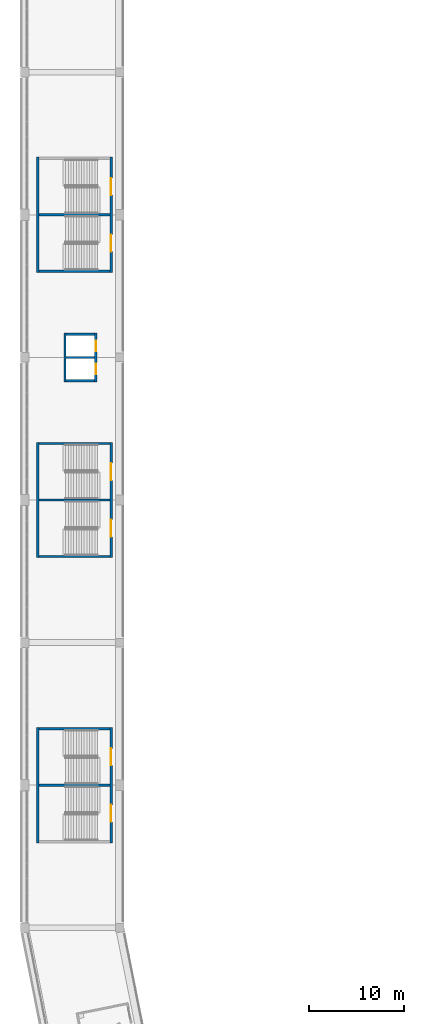
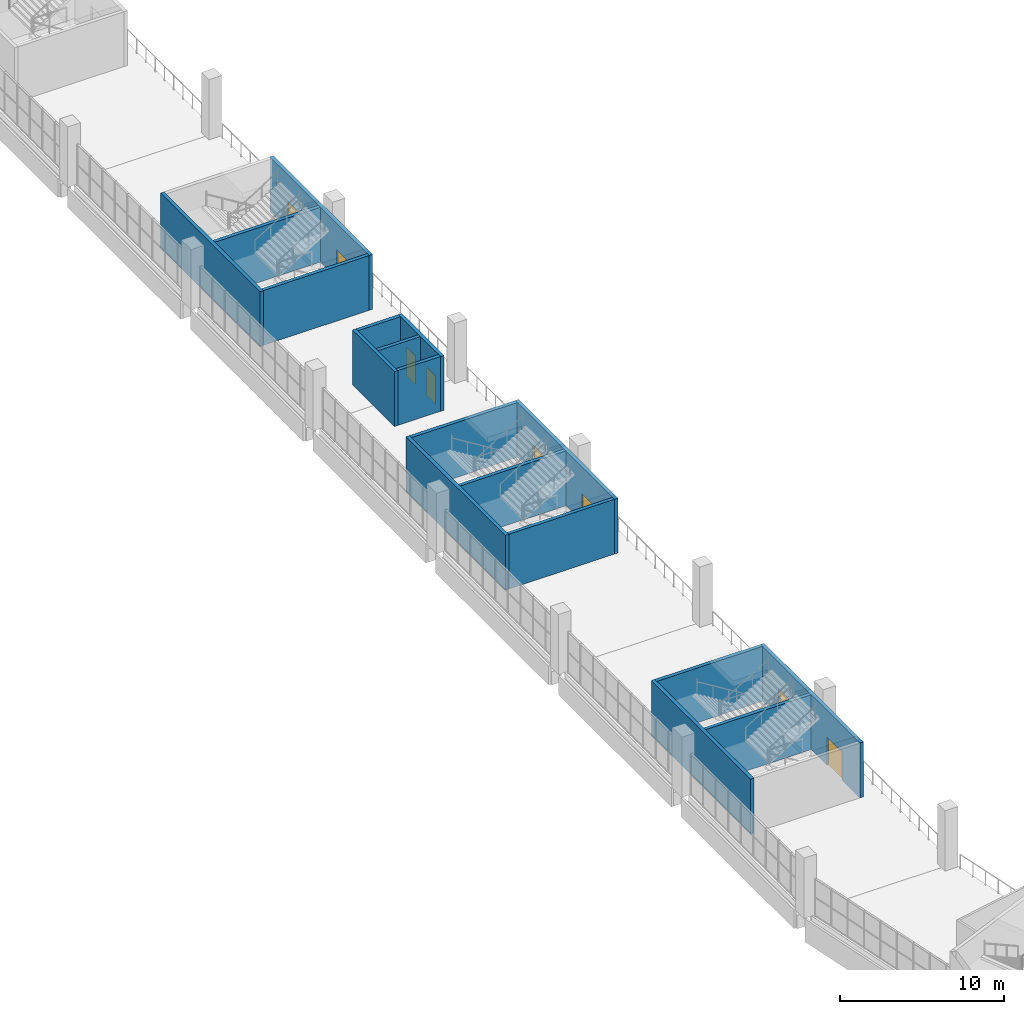
# One storey, part 63 of 177: 18 walls, 8 doors, 8 openings.
"""IFC4 building model written with IfcOpenShell, lengths in metres."""

import ifcopenshell
import ifcopenshell.guid

model = None  # the IFC model being written
_history = None  # IfcOwnerHistory: only IFC2X3 demands one
_inside = {}  # id of a spatial element -> (the spatial element, [elements in it])
_under = {}  # id of a project, library or spatial element -> (it, [spatial elements below it])
_declared = {}  # id of a project -> (the project, [libraries it declares])
_typed = {}  # id of a type object -> (the type object, [elements of that type])
_made_of = {}  # id of a material, layer set ... -> (it, [elements and type objects made of it])


def new_model(schema):
    """Start an empty IFC model of exactly this schema.

    Asked for "IFC4X3", IfcOpenShell would pick the latest addendum, in which some entities
    have other attributes; the version numbers below select the first issue.
    IFC2X3 requires an IfcOwnerHistory on every rooted entity: one is made here for all.
    """
    global model, _history
    if schema == "IFC4X3":
        model = ifcopenshell.file(schema_version=(4, 3, 0, 0))
    else:
        model = ifcopenshell.file(schema=schema)
    _inside.clear()
    _under.clear()
    _declared.clear()
    _typed.clear()
    _made_of.clear()
    _history = None
    if model.schema == "IFC2X3":
        org = make("IfcOrganization", Name="unknown")
        user = make(
            "IfcPersonAndOrganization",
            ThePerson=make("IfcPerson", FamilyName="unknown"),
            TheOrganization=org,
        )
        app = make(
            "IfcApplication",
            ApplicationDeveloper=org,
            Version="unknown",
            ApplicationFullName="unknown",
            ApplicationIdentifier="unknown",
        )
        _history = make(
            "IfcOwnerHistory",
            OwningUser=user,
            OwningApplication=app,
            ChangeAction="ADDED",
            CreationDate=0,
        )
    return model


def make(cls, **values):
    """One entity of the class cls with the attributes given. An attribute that is None is left unset."""
    return model.create_entity(
        cls, **{name: value for name, value in values.items() if value is not None}
    )


def rooted(cls, **values):
    """An entity with a GlobalId (a new one), such as an element, a storey or a relation."""
    return make(cls, GlobalId=ifcopenshell.guid.new(), OwnerHistory=_history, **values)


def si_unit(unit_type, name, prefix=None):
    """IfcSIUnit, for example si_unit("LENGTHUNIT", "METRE", prefix="MILLI")."""
    return make("IfcSIUnit", UnitType=unit_type, Prefix=prefix, Name=name)


def assignment(units):
    """IfcUnitAssignment: the units of a project."""
    return None if units is None else make("IfcUnitAssignment", Units=units)


def point(xyz):
    """IfcCartesianPoint."""
    return None if xyz is None else make("IfcCartesianPoint", Coordinates=xyz)


def direction(xyz):
    """IfcDirection."""
    return None if xyz is None else make("IfcDirection", DirectionRatios=xyz)


def frame(location, z_axis=None, x_axis=None):
    """IfcAxis2Placement3D, a coordinate frame: its origin and axes. An axis left out is left unset."""
    return make(
        "IfcAxis2Placement3D",
        Location=point(location),
        Axis=direction(z_axis),
        RefDirection=direction(x_axis),
    )


def frame_2d(location, x_axis=None):
    """IfcAxis2Placement2D, a coordinate frame in the plane: its origin and x axis."""
    return make(
        "IfcAxis2Placement2D", Location=point(location), RefDirection=direction(x_axis)
    )


def origin():
    """The frame at (0, 0, 0) with its axes left unset."""
    return frame((0.0, 0.0, 0.0))


def place(relative_to, where):
    """IfcLocalPlacement: puts the frame where relative to a parent placement (None: the world)."""
    return make(
        "IfcLocalPlacement", PlacementRelTo=relative_to, RelativePlacement=where
    )


def context(
    kind, dimensions, precision=None, world=None, true_north=None, identifier=None
):
    """IfcGeometricRepresentationContext, for example the 3D "Model" context."""
    return make(
        "IfcGeometricRepresentationContext",
        ContextIdentifier=identifier,
        ContextType=kind,
        CoordinateSpaceDimension=dimensions,
        Precision=precision,
        WorldCoordinateSystem=world,
        TrueNorth=true_north,
    )


def subcontext(parent, identifier, kind, view, scale=None):
    """IfcGeometricRepresentationSubContext, for example "Body" below "Model"."""
    return make(
        "IfcGeometricRepresentationSubContext",
        ContextIdentifier=identifier,
        ContextType=kind,
        ParentContext=parent,
        TargetScale=scale,
        TargetView=view,
    )


def project(units=None, contexts=None):
    """IfcProject with its units and contexts."""
    return rooted(
        "IfcProject",
        Name="project",
        RepresentationContexts=contexts,
        UnitsInContext=assignment(units),
    )


def spatial(cls, under=None, at=None, **own):
    """A site, building, storey or space (cls), placed at a placement, below another one or the project."""
    s = rooted(cls, ObjectPlacement=at, **own)
    if under is not None:
        _under.setdefault(under.id(), (under, []))[1].append(s)
    return s


def profile(cls, at=None, kind="AREA", **sizes):
    """A parametric profile (cls). Its sizes go by their IFC names, for example OverallWidth=200.0."""
    return make(cls, ProfileType=kind, Position=at, **sizes)


def rectangle(**sizes):
    """IfcRectangleProfileDef."""
    return profile("IfcRectangleProfileDef", **sizes)


def extrude(swept, where, along, depth):
    """IfcExtrudedAreaSolid: the profile swept, set in the frame where, extruded along a direction by depth."""
    return make(
        "IfcExtrudedAreaSolid",
        SweptArea=swept,
        Position=where,
        ExtrudedDirection=direction(along),
        Depth=depth,
    )


def shape(context_of_items, identifier, shape_type, items):
    """IfcShapeRepresentation: the items that make up one representation, for example the "Body"."""
    return make(
        "IfcShapeRepresentation",
        ContextOfItems=context_of_items,
        RepresentationIdentifier=identifier,
        RepresentationType=shape_type,
        Items=items,
    )


def material(Name=None, Category=None):
    """IfcMaterial."""
    return make("IfcMaterial", Name=Name, Category=Category)


def layer(
    of_material, thickness, ventilated=None, Name=None, Category=None, Priority=None
):
    """IfcMaterialLayer: one layer of a wall or slab, of a material (None: an air gap)."""
    return make(
        "IfcMaterialLayer",
        Material=of_material,
        LayerThickness=thickness,
        IsVentilated=ventilated,
        Name=Name,
        Category=Category,
        Priority=Priority,
    )


def layer_set(layers, Name=None):
    """IfcMaterialLayerSet."""
    return make("IfcMaterialLayerSet", MaterialLayers=layers, LayerSetName=Name)


def made_of(thing, what):
    """Note that an element or type object is made of a material, layer set ...; save() writes the relation."""
    if what is not None:
        _made_of.setdefault(what.id(), (what, []))[1].append(thing)
    return thing


def type_object(cls, material=None, **own):
    """A type object (cls), such as IfcWallType, which elements share."""
    return made_of(rooted(cls, **own), material)


def element(
    cls,
    number,
    at=None,
    inside=None,
    cuts=None,
    type_object=None,
    material=None,
    context=None,
    identifier="Body",
    shape_type=None,
    held_by="IfcProductDefinitionShape",
    body=None,
    shapes=None,
    **own,
):
    """One element of the class cls, such as IfcWall. Its Tag is "e" and its number.

    at: its placement. inside: the storey or other place that contains it. cuts: it is an
    opening in that element (IfcRelVoidsElement). A single representation is given by context,
    identifier, shape_type and body (its items); several are given by shapes. held_by: the class
    of the entity that holds the representations. save() writes the other relations.
    """
    e = rooted(cls, Tag="e%d" % number, ObjectPlacement=at, **own)
    if body is not None:
        shapes = [shape(context, identifier, shape_type, body)]
    if shapes is not None:
        e.Representation = make(held_by, Representations=shapes)
    if inside is not None:
        _inside.setdefault(inside.id(), (inside, []))[1].append(e)
    if cuts is not None:
        rooted(
            "IfcRelVoidsElement", RelatingBuildingElement=cuts, RelatedOpeningElement=e
        )
    if type_object is not None:
        _typed.setdefault(type_object.id(), (type_object, []))[1].append(e)
    return made_of(e, material)


def fill(opening, filler):
    """IfcRelFillsElement: the door or window that sits in an opening."""
    return rooted(
        "IfcRelFillsElement",
        RelatingOpeningElement=opening,
        RelatedBuildingElement=filler,
    )


def aggregate(whole, parts):
    """IfcRelAggregates: a whole, such as a stair, and the parts it consists of."""
    return rooted("IfcRelAggregates", RelatingObject=whole, RelatedObjects=parts)


def save(model, path):
    """Write the relations noted so far, then the file.

    IfcRelAggregates (storeys below a building ...), IfcRelContainedInSpatialStructure (elements
    in a storey), IfcRelDefinesByType, IfcRelAssociatesMaterial and IfcRelDeclares: one each for
    every whole, place, type object, material and project.
    """
    for whole, parts in _under.values():
        aggregate(whole, parts)
    for where, things in _inside.values():
        rooted(
            "IfcRelContainedInSpatialStructure",
            RelatedElements=things,
            RelatingStructure=where,
        )
    for kind, things in _typed.values():
        rooted("IfcRelDefinesByType", RelatedObjects=things, RelatingType=kind)
    for what, things in _made_of.values():
        rooted("IfcRelAssociatesMaterial", RelatedObjects=things, RelatingMaterial=what)
    for by, libraries in _declared.values():
        rooted("IfcRelDeclares", RelatingContext=by, RelatedDefinitions=libraries)
    model.write(path)


model = new_model("IFC4")

# Units and contexts
model_context = context("Model", 3, precision=1e-05, world=origin(), true_north=direction((0.0, 1.0)))
body_context = subcontext(model_context, "Body", "Model", "MODEL_VIEW")
ifc_project = project(units=[si_unit("LENGTHUNIT", "METRE"), si_unit("AREAUNIT", "SQUARE_METRE"), si_unit("VOLUMEUNIT", "CUBIC_METRE"), si_unit("PLANEANGLEUNIT", "RADIAN"), si_unit("MASSUNIT", "GRAM", prefix="KILO")], contexts=[model_context])

# Site, building, storey
site_placement = place(None, origin())
site = spatial("IfcSite", under=ifc_project, at=site_placement, CompositionType="ELEMENT")
building_placement = place(site_placement, origin())
building = spatial("IfcBuilding", under=site, at=building_placement, Name="Ogive Plaza Stadium", CompositionType="ELEMENT")
storey_placement = place(building_placement, frame((0.0, 0.0, 18.0)))
storey = spatial("IfcBuildingStorey", under=building, at=storey_placement, Name="L04", CompositionType="ELEMENT", Elevation=18.0)

# Wall, openings, doors
ifc_material_1 = material(Name="Concrete C40/50", Category="concrete")
ifc_layer = layer(ifc_material_1, 0.25)
ifc_layer_set = layer_set([ifc_layer], Name="Concrete C40/50")
wall_type = type_object("IfcWallType", Name="Core wall 250", PredefinedType="SHEAR", material=ifc_layer_set)
wall_1_placement = place(storey_placement, frame((-74.925048828125, -31.425048828125, 0.0), z_axis=(0.0, 0.0, 1.0), x_axis=(0.0, -1.0, 0.0)))
wall_1 = element("IfcWall", 1, at=wall_1_placement, inside=storey, type_object=wall_type, Name="Stair core R22 inner wall", PredefinedType="SHEAR", context=body_context, shape_type="SweptSolid", body=[
    extrude(rectangle(XDim=12.14990234375, YDim=0.25, at=frame_2d((6.074951171875, 0.0))), origin(), (0.0, 0.0, 1.0), 4.090087890625),
])
opening_1_placement = place(wall_1_placement, frame((2.199951171875, 0.0, 0.0)))
opening_1 = element("IfcOpeningElement", 2, at=opening_1_placement, cuts=wall_1, Name="Opening D0179", PredefinedType="OPENING", context=body_context, shape_type="SweptSolid", body=[
    extrude(rectangle(XDim=1.800048828125, YDim=2.10009765625, at=frame_2d((0.89990234375, 1.050048828125))), frame((0.0, 0.125, 0.0), z_axis=(0.0, -1.0, 0.0), x_axis=(1.0, 0.0, 0.0)), (0.0, 0.0, 1.0), 0.25),
])
opening_2_placement = place(wall_1_placement, frame((8.14990234375, 0.0, 0.0)))
opening_2 = element("IfcOpeningElement", 3, at=opening_2_placement, cuts=wall_1, Name="Opening D0180", PredefinedType="OPENING", context=body_context, shape_type="SweptSolid", body=[
    extrude(rectangle(XDim=1.800048828125, YDim=2.10009765625, at=frame_2d((0.89990234375, 1.050048828125))), frame((0.0, 0.125, 0.0), z_axis=(0.0, -1.0, 0.0), x_axis=(1.0, 0.0, 0.0)), (0.0, 0.0, 1.0), 0.25),
])
ifc_material_2 = material(Name="Steel ASTM A572 Grade 50", Category="steel")
door_type_1 = type_object("IfcDoorType", Name="Fire door FD90 pair 1800 x 2100", OperationType="DOUBLE_DOOR_SINGLE_SWING", PredefinedType="DOOR", material=ifc_material_2)
door_1_placement = place(opening_1_placement, origin())
door_1 = element("IfcDoor", 4, at=door_1_placement, inside=storey, type_object=door_type_1, Name="Exit stair R22A door L04", OperationType="DOUBLE_DOOR_SINGLE_SWING", OverallHeight=2.10009765625, OverallWidth=1.800048828125, PredefinedType="DOOR", context=body_context, shape_type="SweptSolid", body=[
    extrude(rectangle(XDim=1.800048828125, YDim=2.10009765625, at=frame_2d((0.89990234375, 1.050048828125))), frame((0.0, 0.02490234375, 0.0), z_axis=(0.0, -1.0, 0.0), x_axis=(1.0, 0.0, 0.0)), (0.0, 0.0, 1.0), 0.050048828125),
])
fill(opening_1, door_1)
door_2_placement = place(opening_2_placement, origin())
door_2 = element("IfcDoor", 5, at=door_2_placement, inside=storey, type_object=door_type_1, Name="Exit stair R22B door L04", OperationType="DOUBLE_DOOR_SINGLE_SWING", OverallHeight=2.10009765625, OverallWidth=1.800048828125, PredefinedType="DOOR", context=body_context, shape_type="SweptSolid", body=[
    extrude(rectangle(XDim=1.800048828125, YDim=2.10009765625, at=frame_2d((0.89990234375, 1.050048828125))), frame((0.0, 0.02490234375, 0.0), z_axis=(0.0, -1.0, 0.0), x_axis=(1.0, 0.0, 0.0)), (0.0, 0.0, 1.0), 0.050048828125),
])
fill(opening_2, door_2)

# Walls
wall_2_placement = place(storey_placement, frame((-82.635009765625, -31.425048828125, 0.0), z_axis=(0.0, 0.0, 1.0), x_axis=(0.0, -1.0, 0.0)))
element("IfcWall", 6, at=wall_2_placement, inside=storey, type_object=wall_type, Name="Stair core R22 outer wall", PredefinedType="SHEAR", context=body_context, shape_type="SweptSolid", body=[
    extrude(rectangle(XDim=12.14990234375, YDim=0.25, at=frame_2d((6.074951171875, 0.0))), origin(), (0.0, 0.0, 1.0), 4.090087890625),
])
for number, where, z_axis, x_axis, name in (
    (7, (-75.050048828125, -31.550048828125, 0.0), (0.0, 0.0, 1.0), (-1.0, 0.0, 0.0), "Stair core R22 side wall"),
    (8, (-75.050048828125, -37.5, 0.0), (0.0, 0.0, 1.0), (-1.0, 0.0, 0.0), "Stair core R22 centre wall"),
):
    element("IfcWall", number, at=place(storey_placement, frame(where, z_axis=z_axis, x_axis=x_axis)), inside=storey, type_object=wall_type, Name=name, PredefinedType="SHEAR", context=body_context, shape_type="SweptSolid", body=[
        extrude(rectangle(XDim=7.4599609375, YDim=0.25, at=frame_2d((3.72998046875, 0.0))), origin(), (0.0, 0.0, 1.0), 4.090087890625),
    ])

# Wall, openings, doors
wall_3_placement = place(storey_placement, frame((-74.925048828125, -1.425048828125, 0.0), z_axis=(0.0, 0.0, 1.0), x_axis=(0.0, -1.0, 0.0)))
wall_3 = element("IfcWall", 9, at=wall_3_placement, inside=storey, type_object=wall_type, Name="Stair core R24 inner wall", PredefinedType="SHEAR", context=body_context, shape_type="SweptSolid", body=[
    extrude(rectangle(XDim=12.14990234375, YDim=0.25, at=frame_2d((6.074951171875, 0.0))), origin(), (0.0, 0.0, 1.0), 4.090087890625),
])
opening_3_placement = place(wall_3_placement, frame((2.199951171875, 0.0, 0.0)))
opening_3 = element("IfcOpeningElement", 10, at=opening_3_placement, cuts=wall_3, Name="Opening D0191", PredefinedType="OPENING", context=body_context, shape_type="SweptSolid", body=[
    extrude(rectangle(XDim=1.800048828125, YDim=2.10009765625, at=frame_2d((0.89990234375, 1.050048828125))), frame((0.0, 0.125, 0.0), z_axis=(0.0, -1.0, 0.0), x_axis=(1.0, 0.0, 0.0)), (0.0, 0.0, 1.0), 0.25),
])
opening_4_placement = place(wall_3_placement, frame((8.14990234375, 0.0, 0.0)))
opening_4 = element("IfcOpeningElement", 11, at=opening_4_placement, cuts=wall_3, Name="Opening D0192", PredefinedType="OPENING", context=body_context, shape_type="SweptSolid", body=[
    extrude(rectangle(XDim=1.800048828125, YDim=2.10009765625, at=frame_2d((0.89990234375, 1.050048828125))), frame((0.0, 0.125, 0.0), z_axis=(0.0, -1.0, 0.0), x_axis=(1.0, 0.0, 0.0)), (0.0, 0.0, 1.0), 0.25),
])
door_3_placement = place(opening_3_placement, origin())
door_3 = element("IfcDoor", 12, at=door_3_placement, inside=storey, type_object=door_type_1, Name="Exit stair R24A door L04", OperationType="DOUBLE_DOOR_SINGLE_SWING", OverallHeight=2.10009765625, OverallWidth=1.800048828125, PredefinedType="DOOR", context=body_context, shape_type="SweptSolid", body=[
    extrude(rectangle(XDim=1.800048828125, YDim=2.10009765625, at=frame_2d((0.89990234375, 1.050048828125))), frame((0.0, 0.02490234375, 0.0), z_axis=(0.0, -1.0, 0.0), x_axis=(1.0, 0.0, 0.0)), (0.0, 0.0, 1.0), 0.050048828125),
])
fill(opening_3, door_3)
door_4_placement = place(opening_4_placement, origin())
door_4 = element("IfcDoor", 13, at=door_4_placement, inside=storey, type_object=door_type_1, Name="Exit stair R24B door L04", OperationType="DOUBLE_DOOR_SINGLE_SWING", OverallHeight=2.10009765625, OverallWidth=1.800048828125, PredefinedType="DOOR", context=body_context, shape_type="SweptSolid", body=[
    extrude(rectangle(XDim=1.800048828125, YDim=2.10009765625, at=frame_2d((0.89990234375, 1.050048828125))), frame((0.0, 0.02490234375, 0.0), z_axis=(0.0, -1.0, 0.0), x_axis=(1.0, 0.0, 0.0)), (0.0, 0.0, 1.0), 0.050048828125),
])
fill(opening_4, door_4)

# Walls
wall_4_placement = place(storey_placement, frame((-82.635009765625, -1.425048828125, 0.0), z_axis=(0.0, 0.0, 1.0), x_axis=(0.0, -1.0, 0.0)))
element("IfcWall", 14, at=wall_4_placement, inside=storey, type_object=wall_type, Name="Stair core R24 outer wall", PredefinedType="SHEAR", context=body_context, shape_type="SweptSolid", body=[
    extrude(rectangle(XDim=12.14990234375, YDim=0.25, at=frame_2d((6.074951171875, 0.0))), origin(), (0.0, 0.0, 1.0), 4.090087890625),
])
for number, where, z_axis, x_axis, name in (
    (15, (-75.050048828125, -1.550048828125, 0.0), (0.0, 0.0, 1.0), (-1.0, 0.0, 0.0), "Stair core R24 side wall"),
    (16, (-75.050048828125, -13.449951171875, 0.0), (0.0, 0.0, 1.0), (-1.0, 0.0, 0.0), "Stair core R24 side wall"),
    (17, (-75.050048828125, -7.5, 0.0), (0.0, 0.0, 1.0), (-1.0, 0.0, 0.0), "Stair core R24 centre wall"),
):
    element("IfcWall", number, at=place(storey_placement, frame(where, z_axis=z_axis, x_axis=x_axis)), inside=storey, type_object=wall_type, Name=name, PredefinedType="SHEAR", context=body_context, shape_type="SweptSolid", body=[
        extrude(rectangle(XDim=7.4599609375, YDim=0.25, at=frame_2d((3.72998046875, 0.0))), origin(), (0.0, 0.0, 1.0), 4.090087890625),
    ])

# Wall, openings, doors
wall_5_placement = place(storey_placement, frame((-74.925048828125, 28.574951171875, 0.0), z_axis=(0.0, 0.0, 1.0), x_axis=(0.0, -1.0, 0.0)))
wall_5 = element("IfcWall", 18, at=wall_5_placement, inside=storey, type_object=wall_type, Name="Stair core R26 inner wall", PredefinedType="SHEAR", context=body_context, shape_type="SweptSolid", body=[
    extrude(rectangle(XDim=12.14990234375, YDim=0.25, at=frame_2d((6.074951171875, 0.0))), origin(), (0.0, 0.0, 1.0), 4.090087890625),
])
opening_5_placement = place(wall_5_placement, frame((2.199951171875, 0.0, 0.0)))
opening_5 = element("IfcOpeningElement", 19, at=opening_5_placement, cuts=wall_5, Name="Opening D0205", PredefinedType="OPENING", context=body_context, shape_type="SweptSolid", body=[
    extrude(rectangle(XDim=1.800048828125, YDim=2.10009765625, at=frame_2d((0.89990234375, 1.050048828125))), frame((0.0, 0.125, 0.0), z_axis=(0.0, -1.0, 0.0), x_axis=(1.0, 0.0, 0.0)), (0.0, 0.0, 1.0), 0.25),
])
opening_6_placement = place(wall_5_placement, frame((8.14990234375, 0.0, 0.0)))
opening_6 = element("IfcOpeningElement", 20, at=opening_6_placement, cuts=wall_5, Name="Opening D0206", PredefinedType="OPENING", context=body_context, shape_type="SweptSolid", body=[
    extrude(rectangle(XDim=1.800048828125, YDim=2.10009765625, at=frame_2d((0.89990234375, 1.050048828125))), frame((0.0, 0.125, 0.0), z_axis=(0.0, -1.0, 0.0), x_axis=(1.0, 0.0, 0.0)), (0.0, 0.0, 1.0), 0.25),
])
door_5_placement = place(opening_5_placement, origin())
door_5 = element("IfcDoor", 21, at=door_5_placement, inside=storey, type_object=door_type_1, Name="Exit stair R26A door L04", OperationType="DOUBLE_DOOR_SINGLE_SWING", OverallHeight=2.10009765625, OverallWidth=1.800048828125, PredefinedType="DOOR", context=body_context, shape_type="SweptSolid", body=[
    extrude(rectangle(XDim=1.800048828125, YDim=2.10009765625, at=frame_2d((0.89990234375, 1.050048828125))), frame((0.0, 0.02490234375, 0.0), z_axis=(0.0, -1.0, 0.0), x_axis=(1.0, 0.0, 0.0)), (0.0, 0.0, 1.0), 0.050048828125),
])
fill(opening_5, door_5)
door_6_placement = place(opening_6_placement, origin())
door_6 = element("IfcDoor", 22, at=door_6_placement, inside=storey, type_object=door_type_1, Name="Exit stair R26B door L04", OperationType="DOUBLE_DOOR_SINGLE_SWING", OverallHeight=2.10009765625, OverallWidth=1.800048828125, PredefinedType="DOOR", context=body_context, shape_type="SweptSolid", body=[
    extrude(rectangle(XDim=1.800048828125, YDim=2.10009765625, at=frame_2d((0.89990234375, 1.050048828125))), frame((0.0, 0.02490234375, 0.0), z_axis=(0.0, -1.0, 0.0), x_axis=(1.0, 0.0, 0.0)), (0.0, 0.0, 1.0), 0.050048828125),
])
fill(opening_6, door_6)

# Walls
wall_6_placement = place(storey_placement, frame((-82.635009765625, 28.574951171875, 0.0), z_axis=(0.0, 0.0, 1.0), x_axis=(0.0, -1.0, 0.0)))
element("IfcWall", 23, at=wall_6_placement, inside=storey, type_object=wall_type, Name="Stair core R26 outer wall", PredefinedType="SHEAR", context=body_context, shape_type="SweptSolid", body=[
    extrude(rectangle(XDim=12.14990234375, YDim=0.25, at=frame_2d((6.074951171875, 0.0))), origin(), (0.0, 0.0, 1.0), 4.090087890625),
])
for number, where, z_axis, x_axis, name in (
    (24, (-75.050048828125, 16.550048828125, 0.0), (0.0, 0.0, 1.0), (-1.0, 0.0, 0.0), "Stair core R26 side wall"),
    (25, (-75.050048828125, 22.5, 0.0), (0.0, 0.0, 1.0), (-1.0, 0.0, 0.0), "Stair core R26 centre wall"),
):
    element("IfcWall", number, at=place(storey_placement, frame(where, z_axis=z_axis, x_axis=x_axis)), inside=storey, type_object=wall_type, Name=name, PredefinedType="SHEAR", context=body_context, shape_type="SweptSolid", body=[
        extrude(rectangle(XDim=7.4599609375, YDim=0.25, at=frame_2d((3.72998046875, 0.0))), origin(), (0.0, 0.0, 1.0), 4.090087890625),
    ])

# Wall, openings, doors
wall_7_placement = place(storey_placement, frame((-76.52490234375, 10.074951171875, 0.0), z_axis=(0.0, 0.0, 1.0), x_axis=(0.0, -1.0, 0.0)))
wall_7 = element("IfcWall", 26, at=wall_7_placement, inside=storey, type_object=wall_type, Name="Lift core LP25 landing wall", PredefinedType="SHEAR", context=body_context, shape_type="SweptSolid", body=[
    extrude(rectangle(XDim=5.14990234375, YDim=0.25, at=frame_2d((2.574951171875, 0.0))), origin(), (0.0, 0.0, 1.0), 4.090087890625),
])
opening_7_placement = place(wall_7_placement, frame((0.800048828125, 0.0, 0.0)))
opening_7 = element("IfcOpeningElement", 27, at=opening_7_placement, cuts=wall_7, Name="Opening LD066", PredefinedType="OPENING", context=body_context, shape_type="SweptSolid", body=[
    extrude(rectangle(XDim=1.10009765625, YDim=2.10009765625, at=frame_2d((0.550048828125, 1.050048828125))), frame((0.0, 0.125, 0.0), z_axis=(0.0, -1.0, 0.0), x_axis=(1.0, 0.0, 0.0)), (0.0, 0.0, 1.0), 0.25),
])
opening_8_placement = place(wall_7_placement, frame((3.25, 0.0, 0.0)))
opening_8 = element("IfcOpeningElement", 28, at=opening_8_placement, cuts=wall_7, Name="Opening LD067", PredefinedType="OPENING", context=body_context, shape_type="SweptSolid", body=[
    extrude(rectangle(XDim=1.10009765625, YDim=2.10009765625, at=frame_2d((0.550048828125, 1.050048828125))), frame((0.0, 0.125, 0.0), z_axis=(0.0, -1.0, 0.0), x_axis=(1.0, 0.0, 0.0)), (0.0, 0.0, 1.0), 0.25),
])
ifc_material_3 = material(Name="Steel ASTM A572 Grade 50", Category="steel")
door_type_2 = type_object("IfcDoorType", Name="Landing door 1100 x 2100", OperationType="SLIDING_TO_LEFT", PredefinedType="DOOR", material=ifc_material_3)
door_7_placement = place(opening_7_placement, origin())
door_7 = element("IfcDoor", 29, at=door_7_placement, inside=storey, type_object=door_type_2, Name="Lift landing door LP25 L04", OperationType="SLIDING_TO_LEFT", OverallHeight=2.10009765625, OverallWidth=1.10009765625, PredefinedType="DOOR", context=body_context, shape_type="SweptSolid", body=[
    extrude(rectangle(XDim=1.10009765625, YDim=2.10009765625, at=frame_2d((0.550048828125, 1.050048828125))), frame((0.0, 0.02490234375, 0.0), z_axis=(0.0, -1.0, 0.0), x_axis=(1.0, 0.0, 0.0)), (0.0, 0.0, 1.0), 0.050048828125),
])
fill(opening_7, door_7)
door_8_placement = place(opening_8_placement, origin())
door_8 = element("IfcDoor", 30, at=door_8_placement, inside=storey, type_object=door_type_2, Name="Lift landing door LP25 L04", OperationType="SLIDING_TO_LEFT", OverallHeight=2.10009765625, OverallWidth=1.10009765625, PredefinedType="DOOR", context=body_context, shape_type="SweptSolid", body=[
    extrude(rectangle(XDim=1.10009765625, YDim=2.10009765625, at=frame_2d((0.550048828125, 1.050048828125))), frame((0.0, 0.02490234375, 0.0), z_axis=(0.0, -1.0, 0.0), x_axis=(1.0, 0.0, 0.0)), (0.0, 0.0, 1.0), 0.050048828125),
])
fill(opening_8, door_8)

# Walls
wall_8_placement = place(storey_placement, frame((-79.77490234375, 10.074951171875, 0.0), z_axis=(0.0, 0.0, 1.0), x_axis=(0.0, -1.0, 0.0)))
element("IfcWall", 31, at=wall_8_placement, inside=storey, type_object=wall_type, Name="Lift core LP25 rear wall", PredefinedType="SHEAR", context=body_context, shape_type="SweptSolid", body=[
    extrude(rectangle(XDim=5.14990234375, YDim=0.25, at=frame_2d((2.574951171875, 0.0))), origin(), (0.0, 0.0, 1.0), 4.090087890625),
])
for number, where, z_axis, x_axis, name in (
    (32, (-76.64990234375, 9.949951171875, 0.0), (0.0, 0.0, 1.0), (-1.0, 0.0, 0.0), "Lift core LP25 side wall"),
    (33, (-76.64990234375, 5.050048828125, 0.0), (0.0, 0.0, 1.0), (-1.0, 0.0, 0.0), "Lift core LP25 side wall"),
    (34, (-76.64990234375, 7.5, 0.0), (0.0, 0.0, 1.0), (-1.0, 0.0, 0.0), "Lift core LP25 centre wall"),
):
    element("IfcWall", number, at=place(storey_placement, frame(where, z_axis=z_axis, x_axis=x_axis)), inside=storey, type_object=wall_type, Name=name, PredefinedType="SHEAR", context=body_context, shape_type="SweptSolid", body=[
        extrude(rectangle(XDim=3.0, YDim=0.25, at=frame_2d((1.5, 0.0))), origin(), (0.0, 0.0, 1.0), 4.090087890625),
    ])

save(model, "model.ifc")
